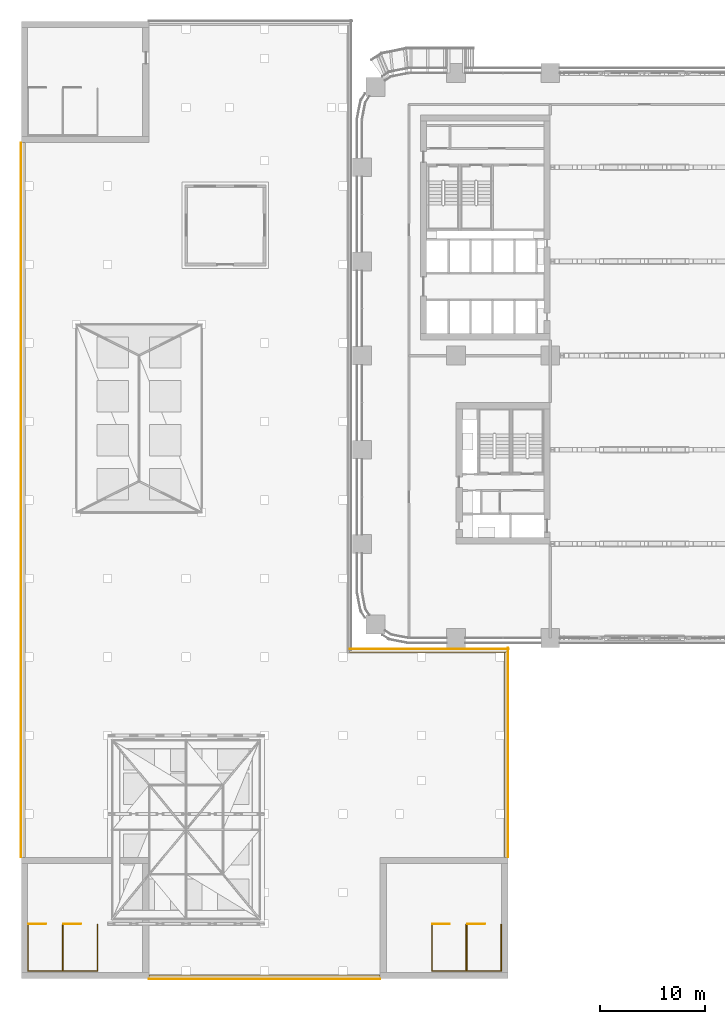
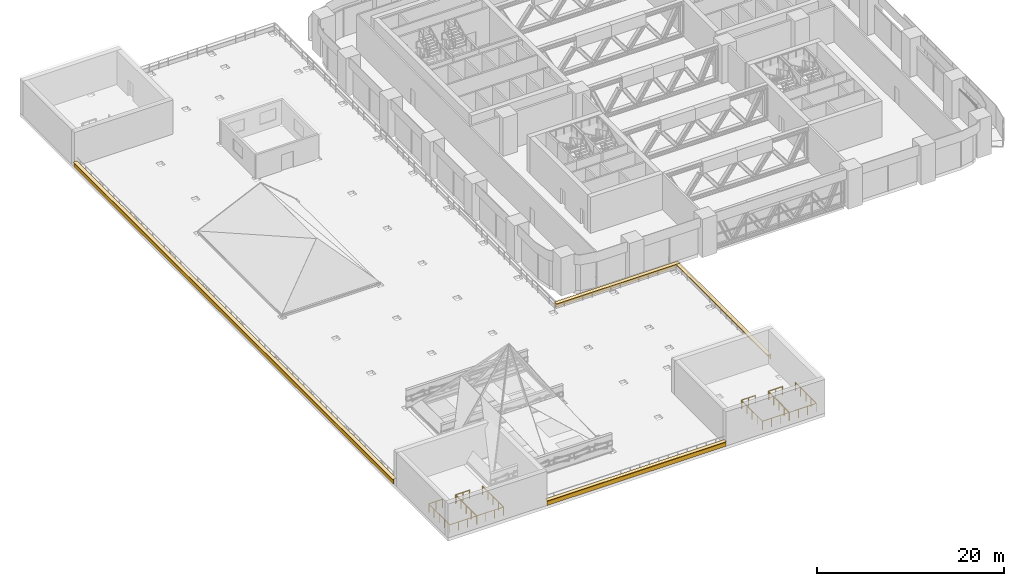
# One storey, part 28 of 35: 8 coverings, 8 railings.
"""IFC4 building model written with IfcOpenShell, lengths in metres."""

import ifcopenshell
import ifcopenshell.guid

model = None  # the IFC model being written
_history = None  # IfcOwnerHistory: only IFC2X3 demands one
_inside = {}  # id of a spatial element -> (the spatial element, [elements in it])
_under = {}  # id of a project, library or spatial element -> (it, [spatial elements below it])
_declared = {}  # id of a project -> (the project, [libraries it declares])
_typed = {}  # id of a type object -> (the type object, [elements of that type])
_made_of = {}  # id of a material, layer set ... -> (it, [elements and type objects made of it])


def new_model(schema):
    """Start an empty IFC model of exactly this schema.

    Asked for "IFC4X3", IfcOpenShell would pick the latest addendum, in which some entities
    have other attributes; the version numbers below select the first issue.
    IFC2X3 requires an IfcOwnerHistory on every rooted entity: one is made here for all.
    """
    global model, _history
    if schema == "IFC4X3":
        model = ifcopenshell.file(schema_version=(4, 3, 0, 0))
    else:
        model = ifcopenshell.file(schema=schema)
    _inside.clear()
    _under.clear()
    _declared.clear()
    _typed.clear()
    _made_of.clear()
    _history = None
    if model.schema == "IFC2X3":
        org = make("IfcOrganization", Name="unknown")
        user = make(
            "IfcPersonAndOrganization",
            ThePerson=make("IfcPerson", FamilyName="unknown"),
            TheOrganization=org,
        )
        app = make(
            "IfcApplication",
            ApplicationDeveloper=org,
            Version="unknown",
            ApplicationFullName="unknown",
            ApplicationIdentifier="unknown",
        )
        _history = make(
            "IfcOwnerHistory",
            OwningUser=user,
            OwningApplication=app,
            ChangeAction="ADDED",
            CreationDate=0,
        )
    return model


def make(cls, **values):
    """One entity of the class cls with the attributes given. An attribute that is None is left unset."""
    return model.create_entity(
        cls, **{name: value for name, value in values.items() if value is not None}
    )


def rooted(cls, **values):
    """An entity with a GlobalId (a new one), such as an element, a storey or a relation."""
    return make(cls, GlobalId=ifcopenshell.guid.new(), OwnerHistory=_history, **values)


def si_unit(unit_type, name, prefix=None):
    """IfcSIUnit, for example si_unit("LENGTHUNIT", "METRE", prefix="MILLI")."""
    return make("IfcSIUnit", UnitType=unit_type, Prefix=prefix, Name=name)


def assignment(units):
    """IfcUnitAssignment: the units of a project."""
    return None if units is None else make("IfcUnitAssignment", Units=units)


def point(xyz):
    """IfcCartesianPoint."""
    return None if xyz is None else make("IfcCartesianPoint", Coordinates=xyz)


def direction(xyz):
    """IfcDirection."""
    return None if xyz is None else make("IfcDirection", DirectionRatios=xyz)


def frame(location, z_axis=None, x_axis=None):
    """IfcAxis2Placement3D, a coordinate frame: its origin and axes. An axis left out is left unset."""
    return make(
        "IfcAxis2Placement3D",
        Location=point(location),
        Axis=direction(z_axis),
        RefDirection=direction(x_axis),
    )


def frame_2d(location, x_axis=None):
    """IfcAxis2Placement2D, a coordinate frame in the plane: its origin and x axis."""
    return make(
        "IfcAxis2Placement2D", Location=point(location), RefDirection=direction(x_axis)
    )


def origin():
    """The frame at (0, 0, 0) with its axes left unset."""
    return frame((0.0, 0.0, 0.0))


def origin_2d():
    """The frame at (0, 0) in the plane with its x axis left unset."""
    return frame_2d((0.0, 0.0))


def place(relative_to, where):
    """IfcLocalPlacement: puts the frame where relative to a parent placement (None: the world)."""
    return make(
        "IfcLocalPlacement", PlacementRelTo=relative_to, RelativePlacement=where
    )


def context(
    kind, dimensions, precision=None, world=None, true_north=None, identifier=None
):
    """IfcGeometricRepresentationContext, for example the 3D "Model" context."""
    return make(
        "IfcGeometricRepresentationContext",
        ContextIdentifier=identifier,
        ContextType=kind,
        CoordinateSpaceDimension=dimensions,
        Precision=precision,
        WorldCoordinateSystem=world,
        TrueNorth=true_north,
    )


def subcontext(parent, identifier, kind, view, scale=None):
    """IfcGeometricRepresentationSubContext, for example "Body" below "Model"."""
    return make(
        "IfcGeometricRepresentationSubContext",
        ContextIdentifier=identifier,
        ContextType=kind,
        ParentContext=parent,
        TargetScale=scale,
        TargetView=view,
    )


def project(units=None, contexts=None):
    """IfcProject with its units and contexts."""
    return rooted(
        "IfcProject",
        Name="project",
        RepresentationContexts=contexts,
        UnitsInContext=assignment(units),
    )


def spatial(cls, under=None, at=None, **own):
    """A site, building, storey or space (cls), placed at a placement, below another one or the project."""
    s = rooted(cls, ObjectPlacement=at, **own)
    if under is not None:
        _under.setdefault(under.id(), (under, []))[1].append(s)
    return s


def profile(cls, at=None, kind="AREA", **sizes):
    """A parametric profile (cls). Its sizes go by their IFC names, for example OverallWidth=200.0."""
    return make(cls, ProfileType=kind, Position=at, **sizes)


def rectangle(**sizes):
    """IfcRectangleProfileDef."""
    return profile("IfcRectangleProfileDef", **sizes)


def circle(**sizes):
    """IfcCircleProfileDef."""
    return profile("IfcCircleProfileDef", **sizes)


def extrude(swept, where, along, depth):
    """IfcExtrudedAreaSolid: the profile swept, set in the frame where, extruded along a direction by depth."""
    return make(
        "IfcExtrudedAreaSolid",
        SweptArea=swept,
        Position=where,
        ExtrudedDirection=direction(along),
        Depth=depth,
    )


def shape(context_of_items, identifier, shape_type, items):
    """IfcShapeRepresentation: the items that make up one representation, for example the "Body"."""
    return make(
        "IfcShapeRepresentation",
        ContextOfItems=context_of_items,
        RepresentationIdentifier=identifier,
        RepresentationType=shape_type,
        Items=items,
    )


def material(Name=None, Category=None):
    """IfcMaterial."""
    return make("IfcMaterial", Name=Name, Category=Category)


def layer(
    of_material, thickness, ventilated=None, Name=None, Category=None, Priority=None
):
    """IfcMaterialLayer: one layer of a wall or slab, of a material (None: an air gap)."""
    return make(
        "IfcMaterialLayer",
        Material=of_material,
        LayerThickness=thickness,
        IsVentilated=ventilated,
        Name=Name,
        Category=Category,
        Priority=Priority,
    )


def layer_set(layers, Name=None):
    """IfcMaterialLayerSet."""
    return make("IfcMaterialLayerSet", MaterialLayers=layers, LayerSetName=Name)


def made_of(thing, what):
    """Note that an element or type object is made of a material, layer set ...; save() writes the relation."""
    if what is not None:
        _made_of.setdefault(what.id(), (what, []))[1].append(thing)
    return thing


def type_object(cls, material=None, **own):
    """A type object (cls), such as IfcWallType, which elements share."""
    return made_of(rooted(cls, **own), material)


def element(
    cls,
    number,
    at=None,
    inside=None,
    cuts=None,
    type_object=None,
    material=None,
    context=None,
    identifier="Body",
    shape_type=None,
    held_by="IfcProductDefinitionShape",
    body=None,
    shapes=None,
    **own,
):
    """One element of the class cls, such as IfcWall. Its Tag is "e" and its number.

    at: its placement. inside: the storey or other place that contains it. cuts: it is an
    opening in that element (IfcRelVoidsElement). A single representation is given by context,
    identifier, shape_type and body (its items); several are given by shapes. held_by: the class
    of the entity that holds the representations. save() writes the other relations.
    """
    e = rooted(cls, Tag="e%d" % number, ObjectPlacement=at, **own)
    if body is not None:
        shapes = [shape(context, identifier, shape_type, body)]
    if shapes is not None:
        e.Representation = make(held_by, Representations=shapes)
    if inside is not None:
        _inside.setdefault(inside.id(), (inside, []))[1].append(e)
    if cuts is not None:
        rooted(
            "IfcRelVoidsElement", RelatingBuildingElement=cuts, RelatedOpeningElement=e
        )
    if type_object is not None:
        _typed.setdefault(type_object.id(), (type_object, []))[1].append(e)
    return made_of(e, material)


def aggregate(whole, parts):
    """IfcRelAggregates: a whole, such as a stair, and the parts it consists of."""
    return rooted("IfcRelAggregates", RelatingObject=whole, RelatedObjects=parts)


def save(model, path):
    """Write the relations noted so far, then the file.

    IfcRelAggregates (storeys below a building ...), IfcRelContainedInSpatialStructure (elements
    in a storey), IfcRelDefinesByType, IfcRelAssociatesMaterial and IfcRelDeclares: one each for
    every whole, place, type object, material and project.
    """
    for whole, parts in _under.values():
        aggregate(whole, parts)
    for where, things in _inside.values():
        rooted(
            "IfcRelContainedInSpatialStructure",
            RelatedElements=things,
            RelatingStructure=where,
        )
    for kind, things in _typed.values():
        rooted("IfcRelDefinesByType", RelatedObjects=things, RelatingType=kind)
    for what, things in _made_of.values():
        rooted("IfcRelAssociatesMaterial", RelatedObjects=things, RelatingMaterial=what)
    for by, libraries in _declared.values():
        rooted("IfcRelDeclares", RelatingContext=by, RelatedDefinitions=libraries)
    model.write(path)


model = new_model("IFC4")

# Units and contexts
model_context = context("Model", 3, precision=1e-05, world=origin(), true_north=direction((0.0, 1.0)))
body_context = subcontext(model_context, "Body", "Model", "MODEL_VIEW")
ifc_project = project(units=[si_unit("LENGTHUNIT", "METRE"), si_unit("AREAUNIT", "SQUARE_METRE"), si_unit("VOLUMEUNIT", "CUBIC_METRE"), si_unit("PLANEANGLEUNIT", "RADIAN"), si_unit("MASSUNIT", "GRAM", prefix="KILO")], contexts=[model_context])

# Site, building, storey
site_placement = place(None, origin())
site = spatial("IfcSite", under=ifc_project, at=site_placement, CompositionType="ELEMENT")
building_placement = place(site_placement, origin())
building = spatial("IfcBuilding", under=site, at=building_placement, Name="Tessera Arch", CompositionType="ELEMENT")
storey_placement = place(building_placement, frame((0.0, 0.0, 26.0)))
storey = spatial("IfcBuildingStorey", under=building, at=storey_placement, Name="L04", CompositionType="ELEMENT", Elevation=26.0)

# Coverings
ifc_material_1 = material(Name="Anodised aluminium pale metal", Category="aluminium")
ifc_layer_1 = layer(ifc_material_1, 0.06005859375)
ifc_layer_set_1 = layer_set([ifc_layer_1], Name="Museum coping pale metal")
covering_type_1 = type_object("IfcCoveringType", Name="Museum coping pale metal", PredefinedType="CLADDING", material=ifc_layer_set_1)
covering_1_placement = place(storey_placement, frame((-9.300048828125, -32.43994140625, 0.599853515625), z_axis=(0.0, 0.0, 1.0), x_axis=(1.0, 0.0, 0.0)))
element("IfcCovering", 1, at=covering_1_placement, inside=storey, type_object=covering_type_1, Name="Museum parapet coping", PredefinedType="CLADDING", context=body_context, shape_type="SweptSolid", body=[
    extrude(rectangle(XDim=22.10009765625, YDim=0.4599609375, at=origin_2d()), origin(), (0.0, 0.0, 1.0), 0.06005859375),
])
covering_2_placement = place(storey_placement, frame((13.840087890625, -10.945068359375, 0.599853515625), z_axis=(0.0, 0.0, 1.0), x_axis=(0.0, 1.0, 0.0)))
element("IfcCovering", 2, at=covering_2_placement, inside=storey, type_object=covering_type_1, Name="Museum parapet coping", PredefinedType="CLADDING", context=body_context, shape_type="SweptSolid", body=[
    extrude(rectangle(XDim=20.010009765625, YDim=0.4599609375, at=origin_2d()), origin(), (0.0, 0.0, 1.0), 0.06005859375),
])
covering_3_placement = place(storey_placement, frame((6.449951171875, -1.159912109375, 0.599853515625), z_axis=(0.0, 0.0, 1.0), x_axis=(-1.0, 0.0, 0.0)))
element("IfcCovering", 3, at=covering_3_placement, inside=storey, type_object=covering_type_1, Name="Museum parapet coping", PredefinedType="CLADDING", context=body_context, shape_type="SweptSolid", body=[
    extrude(rectangle(XDim=15.219970703125, YDim=0.4599609375, at=origin_2d()), origin(), (0.0, 0.0, 1.0), 0.06005859375),
])
covering_4_placement = place(storey_placement, frame((-32.43994140625, 13.199951171875, 0.599853515625), z_axis=(0.0, 0.0, 1.0), x_axis=(0.0, -1.0, 0.0)))
element("IfcCovering", 4, at=covering_4_placement, inside=storey, type_object=covering_type_1, Name="Museum parapet coping", PredefinedType="CLADDING", context=body_context, shape_type="SweptSolid", body=[
    extrude(rectangle(XDim=68.300048828125, YDim=0.4599609375, at=origin_2d()), origin(), (0.0, 0.0, 1.0), 0.06005859375),
])
ifc_material_2 = material(Name="Anodised aluminium pale metal", Category="aluminium")
ifc_layer_2 = layer(ifc_material_2, 0.0400390625)
ifc_layer_set_2 = layer_set([ifc_layer_2], Name="Museum parapet fascia pale metal")
covering_type_2 = type_object("IfcCoveringType", Name="Museum parapet fascia pale metal", PredefinedType="CLADDING", material=ifc_layer_set_2)
covering_5_placement = place(storey_placement, frame((-9.300048828125, -32.570068359375, 0.0), z_axis=(0.0, 0.0, 1.0), x_axis=(1.0, 0.0, 0.0)))
element("IfcCovering", 5, at=covering_5_placement, inside=storey, type_object=covering_type_2, Name="Museum parapet fascia", PredefinedType="CLADDING", context=body_context, shape_type="SweptSolid", body=[
    extrude(rectangle(XDim=22.10009765625, YDim=0.0400390625, at=origin_2d()), origin(), (0.0, 0.0, 1.0), 0.60009765625),
])
covering_6_placement = place(storey_placement, frame((13.969970703125, -10.945068359375, 0.0), z_axis=(0.0, 0.0, 1.0), x_axis=(0.0, 1.0, 0.0)))
element("IfcCovering", 6, at=covering_6_placement, inside=storey, type_object=covering_type_2, Name="Museum parapet fascia", PredefinedType="CLADDING", context=body_context, shape_type="SweptSolid", body=[
    extrude(rectangle(XDim=20.010009765625, YDim=0.0400390625, at=origin_2d()), origin(), (0.0, 0.0, 1.0), 0.60009765625),
])
covering_7_placement = place(storey_placement, frame((6.449951171875, -1.030029296875, 0.0), z_axis=(0.0, 0.0, 1.0), x_axis=(-1.0, 0.0, 0.0)))
element("IfcCovering", 7, at=covering_7_placement, inside=storey, type_object=covering_type_2, Name="Museum parapet fascia", PredefinedType="CLADDING", context=body_context, shape_type="SweptSolid", body=[
    extrude(rectangle(XDim=15.219970703125, YDim=0.0400390625, at=origin_2d()), origin(), (0.0, 0.0, 1.0), 0.60009765625),
])
covering_8_placement = place(storey_placement, frame((-32.570068359375, 13.199951171875, 0.0), z_axis=(0.0, 0.0, 1.0), x_axis=(0.0, -1.0, 0.0)))
element("IfcCovering", 8, at=covering_8_placement, inside=storey, type_object=covering_type_2, Name="Museum parapet fascia", PredefinedType="CLADDING", context=body_context, shape_type="SweptSolid", body=[
    extrude(rectangle(XDim=68.300048828125, YDim=0.0400390625, at=origin_2d()), origin(), (0.0, 0.0, 1.0), 0.60009765625),
])

# Railings
ifc_material_3 = material(Name="Stainless steel and clear glass", Category="steel")
railing_type_1 = type_object("IfcRailingType", Name="Museum roof guard 1100", PredefinedType="GUARDRAIL", material=ifc_material_3)
railing_1_placement = place(storey_placement, frame((-31.919921875, -27.35009765625, 0.0)))
element("IfcRailing", 9, at=railing_1_placement, inside=storey, type_object=railing_type_1, Name="Stair M2a well guard", PredefinedType="GUARDRAIL", context=body_context, shape_type="SweptSolid", body=[
    extrude(circle(Radius=0.02490234375, at=origin_2d()), frame((0.0, 0.00390625, 1.0751953125), z_axis=(0.0, -1.0, 0.0), x_axis=(1.0, 0.0, 0.0)), (0.0, 0.0, 1.0), 4.47802734375),
    extrude(circle(Radius=0.02490234375, at=origin_2d()), frame((-0.00390625, -4.469970703125, 1.0751953125), z_axis=(1.0, 0.0, 0.0), x_axis=(0.0, 1.0, 0.0)), (0.0, 0.0, 1.0), 3.298095703125),
    extrude(circle(Radius=0.02490234375, at=origin_2d()), frame((3.2900390625, -4.473876953125, 1.0751953125), z_axis=(0.0, 1.0, 0.0), x_axis=(-1.0, 0.0, 0.0)), (0.0, 0.0, 1.0), 4.47802734375),
    extrude(circle(Radius=0.02001953125, at=origin_2d()), origin(), (0.0, 0.0, 1.0), 1.06201171875),
    extrude(circle(Radius=0.02001953125, at=origin_2d()), frame((0.0, -1.117431640625, 0.0)), (0.0, 0.0, 1.0), 1.06201171875),
    extrude(circle(Radius=0.02001953125, at=origin_2d()), frame((0.0, -2.23486328125, 0.0)), (0.0, 0.0, 1.0), 1.06201171875),
    extrude(circle(Radius=0.02001953125, at=origin_2d()), frame((0.0, -3.3525390625, 0.0)), (0.0, 0.0, 1.0), 1.06201171875),
    extrude(circle(Radius=0.02001953125, at=origin_2d()), frame((0.0, -4.469970703125, 0.0)), (0.0, 0.0, 1.0), 1.06201171875),
    extrude(circle(Radius=0.02001953125, at=origin_2d()), frame((1.0966796875, -4.469970703125, 0.0)), (0.0, 0.0, 1.0), 1.06201171875),
    extrude(circle(Radius=0.02001953125, at=origin_2d()), frame((2.193359375, -4.469970703125, 0.0)), (0.0, 0.0, 1.0), 1.06201171875),
    extrude(circle(Radius=0.02001953125, at=origin_2d()), frame((3.2900390625, -4.469970703125, 0.0)), (0.0, 0.0, 1.0), 1.06201171875),
    extrude(circle(Radius=0.02001953125, at=origin_2d()), frame((3.2900390625, -3.3525390625, 0.0)), (0.0, 0.0, 1.0), 1.06201171875),
    extrude(circle(Radius=0.02001953125, at=origin_2d()), frame((3.2900390625, -2.23486328125, 0.0)), (0.0, 0.0, 1.0), 1.06201171875),
    extrude(circle(Radius=0.02001953125, at=origin_2d()), frame((3.2900390625, -1.117431640625, 0.0)), (0.0, 0.0, 1.0), 1.06201171875),
    extrude(circle(Radius=0.02001953125, at=origin_2d()), frame((3.2900390625, 0.0, 0.0)), (0.0, 0.0, 1.0), 1.06201171875),
])
railing_2_placement = place(storey_placement, frame((-28.570068359375, -27.35009765625, 0.0)))
element("IfcRailing", 10, at=railing_2_placement, inside=storey, type_object=railing_type_1, Name="Stair M2b well guard", PredefinedType="GUARDRAIL", context=body_context, shape_type="SweptSolid", body=[
    extrude(circle(Radius=0.02490234375, at=origin_2d()), frame((0.0, 0.00390625, 1.0751953125), z_axis=(0.0, -1.0, 0.0), x_axis=(1.0, 0.0, 0.0)), (0.0, 0.0, 1.0), 4.47802734375),
    extrude(circle(Radius=0.02490234375, at=origin_2d()), frame((-0.00390625, -4.469970703125, 1.0751953125), z_axis=(1.0, 0.0, 0.0), x_axis=(0.0, 1.0, 0.0)), (0.0, 0.0, 1.0), 3.298095703125),
    extrude(circle(Radius=0.02490234375, at=origin_2d()), frame((3.2900390625, -4.473876953125, 1.0751953125), z_axis=(0.0, 1.0, 0.0), x_axis=(-1.0, 0.0, 0.0)), (0.0, 0.0, 1.0), 4.47802734375),
    extrude(circle(Radius=0.02001953125, at=origin_2d()), origin(), (0.0, 0.0, 1.0), 1.06201171875),
    extrude(circle(Radius=0.02001953125, at=origin_2d()), frame((0.0, -1.117431640625, 0.0)), (0.0, 0.0, 1.0), 1.06201171875),
    extrude(circle(Radius=0.02001953125, at=origin_2d()), frame((0.0, -2.23486328125, 0.0)), (0.0, 0.0, 1.0), 1.06201171875),
    extrude(circle(Radius=0.02001953125, at=origin_2d()), frame((0.0, -3.3525390625, 0.0)), (0.0, 0.0, 1.0), 1.06201171875),
    extrude(circle(Radius=0.02001953125, at=origin_2d()), frame((0.0, -4.469970703125, 0.0)), (0.0, 0.0, 1.0), 1.06201171875),
    extrude(circle(Radius=0.02001953125, at=origin_2d()), frame((1.0966796875, -4.469970703125, 0.0)), (0.0, 0.0, 1.0), 1.06201171875),
    extrude(circle(Radius=0.02001953125, at=origin_2d()), frame((2.193359375, -4.469970703125, 0.0)), (0.0, 0.0, 1.0), 1.06201171875),
    extrude(circle(Radius=0.02001953125, at=origin_2d()), frame((3.2900390625, -4.469970703125, 0.0)), (0.0, 0.0, 1.0), 1.06201171875),
    extrude(circle(Radius=0.02001953125, at=origin_2d()), frame((3.2900390625, -3.3525390625, 0.0)), (0.0, 0.0, 1.0), 1.06201171875),
    extrude(circle(Radius=0.02001953125, at=origin_2d()), frame((3.2900390625, -2.23486328125, 0.0)), (0.0, 0.0, 1.0), 1.06201171875),
    extrude(circle(Radius=0.02001953125, at=origin_2d()), frame((3.2900390625, -1.117431640625, 0.0)), (0.0, 0.0, 1.0), 1.06201171875),
    extrude(circle(Radius=0.02001953125, at=origin_2d()), frame((3.2900390625, 0.0, 0.0)), (0.0, 0.0, 1.0), 1.06201171875),
])
railing_3_placement = place(storey_placement, frame((10.030029296875, -27.35009765625, 0.0)))
element("IfcRailing", 11, at=railing_3_placement, inside=storey, type_object=railing_type_1, Name="Stair M3a well guard", PredefinedType="GUARDRAIL", context=body_context, shape_type="SweptSolid", body=[
    extrude(circle(Radius=0.02490234375, at=origin_2d()), frame((0.0, 0.00390625, 1.0751953125), z_axis=(0.0, -1.0, 0.0), x_axis=(1.0, 0.0, 0.0)), (0.0, 0.0, 1.0), 4.47802734375),
    extrude(circle(Radius=0.02490234375, at=origin_2d()), frame((-0.00390625, -4.469970703125, 1.0751953125), z_axis=(1.0, 0.0, 0.0), x_axis=(0.0, 1.0, 0.0)), (0.0, 0.0, 1.0), 3.298095703125),
    extrude(circle(Radius=0.02490234375, at=origin_2d()), frame((3.2900390625, -4.473876953125, 1.0751953125), z_axis=(0.0, 1.0, 0.0), x_axis=(-1.0, 0.0, 0.0)), (0.0, 0.0, 1.0), 4.47802734375),
    extrude(circle(Radius=0.02001953125, at=origin_2d()), origin(), (0.0, 0.0, 1.0), 1.06201171875),
    extrude(circle(Radius=0.02001953125, at=origin_2d()), frame((0.0, -1.117431640625, 0.0)), (0.0, 0.0, 1.0), 1.06201171875),
    extrude(circle(Radius=0.02001953125, at=origin_2d()), frame((0.0, -2.23486328125, 0.0)), (0.0, 0.0, 1.0), 1.06201171875),
    extrude(circle(Radius=0.02001953125, at=origin_2d()), frame((0.0, -3.3525390625, 0.0)), (0.0, 0.0, 1.0), 1.06201171875),
    extrude(circle(Radius=0.02001953125, at=origin_2d()), frame((0.0, -4.469970703125, 0.0)), (0.0, 0.0, 1.0), 1.06201171875),
    extrude(circle(Radius=0.02001953125, at=origin_2d()), frame((1.0966796875, -4.469970703125, 0.0)), (0.0, 0.0, 1.0), 1.06201171875),
    extrude(circle(Radius=0.02001953125, at=origin_2d()), frame((2.193359375, -4.469970703125, 0.0)), (0.0, 0.0, 1.0), 1.06201171875),
    extrude(circle(Radius=0.02001953125, at=origin_2d()), frame((3.2900390625, -4.469970703125, 0.0)), (0.0, 0.0, 1.0), 1.06201171875),
    extrude(circle(Radius=0.02001953125, at=origin_2d()), frame((3.2900390625, -3.3525390625, 0.0)), (0.0, 0.0, 1.0), 1.06201171875),
    extrude(circle(Radius=0.02001953125, at=origin_2d()), frame((3.2900390625, -2.23486328125, 0.0)), (0.0, 0.0, 1.0), 1.06201171875),
    extrude(circle(Radius=0.02001953125, at=origin_2d()), frame((3.2900390625, -1.117431640625, 0.0)), (0.0, 0.0, 1.0), 1.06201171875),
    extrude(circle(Radius=0.02001953125, at=origin_2d()), frame((3.2900390625, 0.0, 0.0)), (0.0, 0.0, 1.0), 1.06201171875),
])
railing_4_placement = place(storey_placement, frame((6.679931640625, -27.35009765625, 0.0)))
element("IfcRailing", 12, at=railing_4_placement, inside=storey, type_object=railing_type_1, Name="Stair M3b well guard", PredefinedType="GUARDRAIL", context=body_context, shape_type="SweptSolid", body=[
    extrude(circle(Radius=0.02490234375, at=origin_2d()), frame((0.0, 0.00390625, 1.0751953125), z_axis=(0.0, -1.0, 0.0), x_axis=(1.0, 0.0, 0.0)), (0.0, 0.0, 1.0), 4.47802734375),
    extrude(circle(Radius=0.02490234375, at=origin_2d()), frame((-0.00390625, -4.469970703125, 1.0751953125), z_axis=(1.0, 0.0, 0.0), x_axis=(0.0, 1.0, 0.0)), (0.0, 0.0, 1.0), 3.298095703125),
    extrude(circle(Radius=0.02490234375, at=origin_2d()), frame((3.2900390625, -4.473876953125, 1.0751953125), z_axis=(0.0, 1.0, 0.0), x_axis=(-1.0, 0.0, 0.0)), (0.0, 0.0, 1.0), 4.47802734375),
    extrude(circle(Radius=0.02001953125, at=origin_2d()), origin(), (0.0, 0.0, 1.0), 1.06201171875),
    extrude(circle(Radius=0.02001953125, at=origin_2d()), frame((0.0, -1.117431640625, 0.0)), (0.0, 0.0, 1.0), 1.06201171875),
    extrude(circle(Radius=0.02001953125, at=origin_2d()), frame((0.0, -2.23486328125, 0.0)), (0.0, 0.0, 1.0), 1.06201171875),
    extrude(circle(Radius=0.02001953125, at=origin_2d()), frame((0.0, -3.3525390625, 0.0)), (0.0, 0.0, 1.0), 1.06201171875),
    extrude(circle(Radius=0.02001953125, at=origin_2d()), frame((0.0, -4.469970703125, 0.0)), (0.0, 0.0, 1.0), 1.06201171875),
    extrude(circle(Radius=0.02001953125, at=origin_2d()), frame((1.0966796875, -4.469970703125, 0.0)), (0.0, 0.0, 1.0), 1.06201171875),
    extrude(circle(Radius=0.02001953125, at=origin_2d()), frame((2.193359375, -4.469970703125, 0.0)), (0.0, 0.0, 1.0), 1.06201171875),
    extrude(circle(Radius=0.02001953125, at=origin_2d()), frame((3.2900390625, -4.469970703125, 0.0)), (0.0, 0.0, 1.0), 1.06201171875),
    extrude(circle(Radius=0.02001953125, at=origin_2d()), frame((3.2900390625, -3.3525390625, 0.0)), (0.0, 0.0, 1.0), 1.06201171875),
    extrude(circle(Radius=0.02001953125, at=origin_2d()), frame((3.2900390625, -2.23486328125, 0.0)), (0.0, 0.0, 1.0), 1.06201171875),
    extrude(circle(Radius=0.02001953125, at=origin_2d()), frame((3.2900390625, -1.117431640625, 0.0)), (0.0, 0.0, 1.0), 1.06201171875),
    extrude(circle(Radius=0.02001953125, at=origin_2d()), frame((3.2900390625, 0.0, 0.0)), (0.0, 0.0, 1.0), 1.06201171875),
])
ifc_material_4 = material(Name="Painted steel balustrade", Category="steel")
railing_type_2 = type_object("IfcRailingType", Name="Stair guard 1100", PredefinedType="GUARDRAIL", material=ifc_material_4)
railing_5_placement = place(storey_placement, frame((-31.85009765625, -27.300048828125, 0.0)))
element("IfcRailing", 13, at=railing_5_placement, inside=storey, type_object=railing_type_2, Name="L04 M2a top well guard 1", PredefinedType="GUARDRAIL", context=body_context, shape_type="SweptSolid", body=[
    extrude(circle(Radius=0.02392578125, at=origin_2d()), frame((-0.00390625, 0.0, 1.076171875), z_axis=(1.0, 0.0, 0.0), x_axis=(0.0, 1.0, 0.0)), (0.0, 0.0, 1.0), 1.658203125),
    extrude(circle(Radius=0.02099609375, at=origin_2d()), origin(), (0.0, 0.0, 1.0), 1.06396484375),
    extrude(circle(Radius=0.02099609375, at=origin_2d()), frame((0.8251953125, 0.0, 0.0)), (0.0, 0.0, 1.0), 1.06396484375),
    extrude(circle(Radius=0.02099609375, at=origin_2d()), frame((1.650146484375, 0.0, 0.0)), (0.0, 0.0, 1.0), 1.06396484375),
])
for number, where, name in (
    (14, (-28.5, -27.300048828125, 0.0), "L04 M2b top well guard 1"),
    (15, (10.10009765625, -27.300048828125, 0.0), "L04 M3a top well guard 1"),
    (16, (6.75, -27.300048828125, 0.0), "L04 M3b top well guard 1"),
):
    element("IfcRailing", number, at=place(storey_placement, frame(where)), inside=storey, type_object=railing_type_2, Name=name, PredefinedType="GUARDRAIL", context=body_context, shape_type="SweptSolid", body=[
        extrude(circle(Radius=0.02392578125, at=origin_2d()), frame((-0.00390625, 0.0, 1.076171875), z_axis=(1.0, 0.0, 0.0), x_axis=(0.0, 1.0, 0.0)), (0.0, 0.0, 1.0), 1.657958984375),
        extrude(circle(Radius=0.02099609375, at=origin_2d()), origin(), (0.0, 0.0, 1.0), 1.06396484375),
        extrude(circle(Radius=0.02099609375, at=origin_2d()), frame((0.824951171875, 0.0, 0.0)), (0.0, 0.0, 1.0), 1.06396484375),
        extrude(circle(Radius=0.02099609375, at=origin_2d()), frame((1.64990234375, 0.0, 0.0)), (0.0, 0.0, 1.0), 1.06396484375),
    ])

save(model, "model.ifc")
